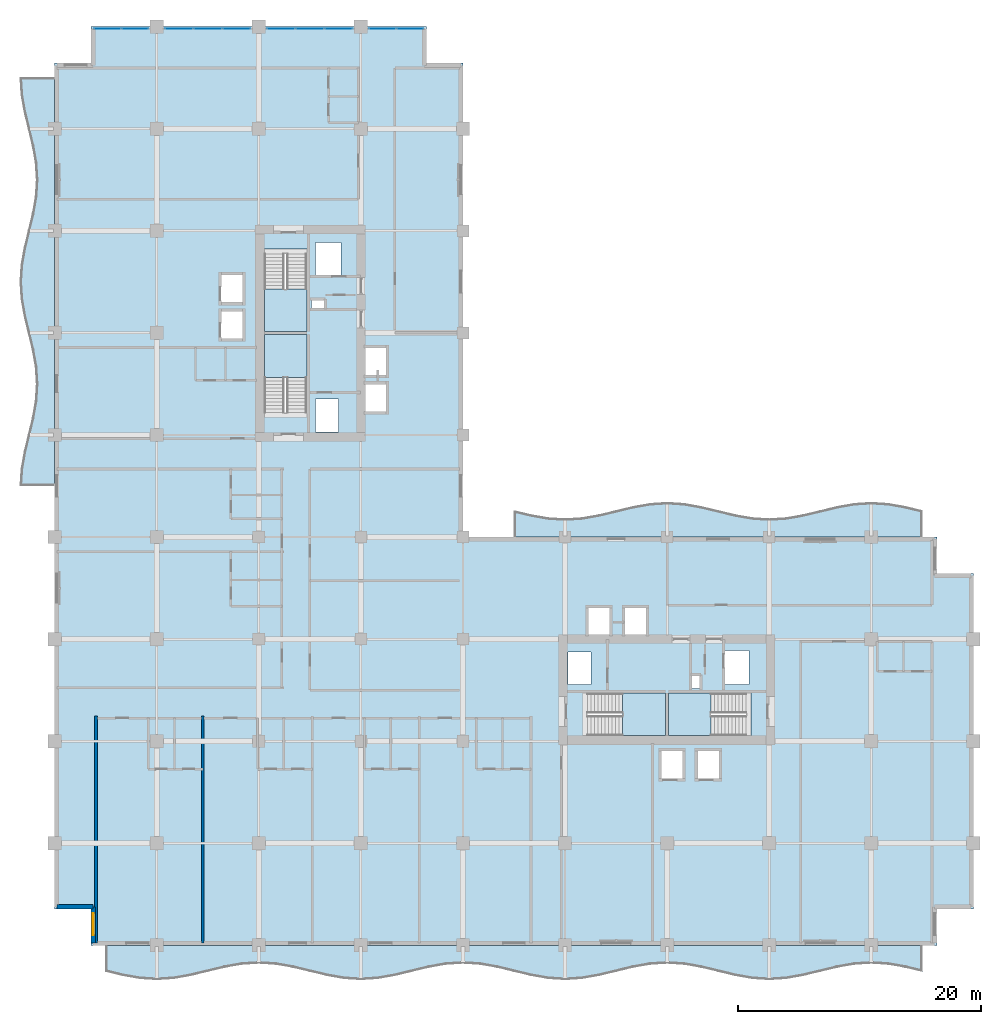
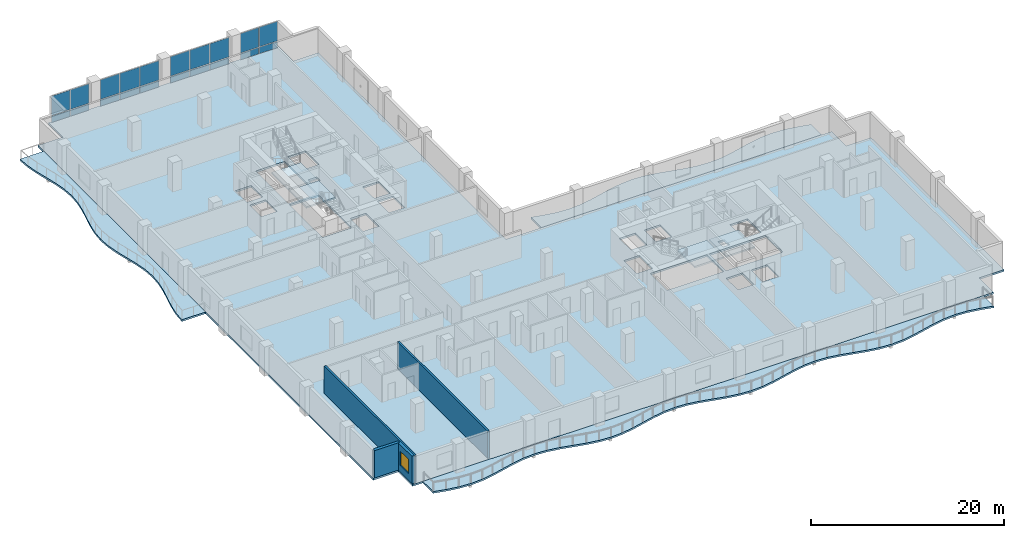
# One storey, part 6 of 20: 20 plates, 8 slabs, 4 walls, 1 window, 1 opening, 8 elements without a shape of their own.
"""IFC4 building model written with IfcOpenShell, lengths in metres."""

from ifc_helpers import new_model, si_unit, direction, frame, frame_2d, origin, origin_2d, place, context, subcontext, project, spatial, polyline, rectangle, outline, extrude, material, layer, layer_set, type_object, element, fill, aggregate, save


model = new_model("IFC4")

# Units and contexts
model_context = context("Model", 3, precision=1e-05, world=origin(), true_north=direction((0.0, 1.0)))
body_context = subcontext(model_context, "Body", "Model", "MODEL_VIEW")
ifc_project = project(units=[si_unit("LENGTHUNIT", "METRE"), si_unit("AREAUNIT", "SQUARE_METRE"), si_unit("VOLUMEUNIT", "CUBIC_METRE"), si_unit("PLANEANGLEUNIT", "RADIAN"), si_unit("MASSUNIT", "GRAM", prefix="KILO")], contexts=[model_context])

# Site, building, storey
site_placement = place(None, origin())
site = spatial("IfcSite", under=ifc_project, at=site_placement, CompositionType="ELEMENT")
building_placement = place(site_placement, origin())
building = spatial("IfcBuilding", under=site, at=building_placement, Name="Koriwani Terraces Tower", CompositionType="ELEMENT")
storey_placement = place(building_placement, frame((0.0, 0.0, 175.39990234375)))
storey = spatial("IfcBuildingStorey", under=building, at=storey_placement, Name="L42", CompositionType="ELEMENT", Elevation=175.39990234375)

# Curtain wall, plates
ifc_material_1 = material(Name="Anodised Bronze Aluminium", Category="aluminium")
ifc_layer_1 = layer(ifc_material_1, 0.169921875, Name="Anodised Bronze Aluminium")
ifc_layer_set_1 = layer_set([ifc_layer_1], Name="Anodised Bronze Aluminium")
curtain_wall_type = type_object("IfcCurtainWallType", Name="CW_RES_ZONE3", PredefinedType="NOTDEFINED", material=ifc_layer_set_1)
curtain_wall_1_placement = place(storey_placement, origin())
curtain_wall_1 = element("IfcCurtainWall", 1, at=curtain_wall_1_placement, inside=storey, type_object=curtain_wall_type, Name="L42 Unitised Curtain Wall (N_TIP) Bay 1", PredefinedType="NOTDEFINED")
ifc_material_2 = material(Name="Tempered Laminated Low-E Glass", Category="glass")
ifc_layer_2 = layer(ifc_material_2, 0.028076171875, Name="Tempered Laminated Low-E Glass")
ifc_layer_set_2 = layer_set([ifc_layer_2], Name="Tempered Laminated Low-E Glass")
plate_type = type_object("IfcPlateType", Name="CW_PANEL_VISION_28", PredefinedType="CURTAIN_PANEL", material=ifc_layer_set_2)
plate_1_placement = place(storey_placement, frame((4.347412109375, 75.425048828125, 0.06494140625), z_axis=(0.0, 0.0, 1.0), x_axis=(1.0, 0.0, 0.0)))
plate_1 = element("IfcPlate", 2, at=plate_1_placement, type_object=plate_type, Name="CW-Z3 panel 1.1", PredefinedType="CURTAIN_PANEL", context=body_context, shape_type="SweptSolid", body=[
    extrude(rectangle(XDim=2.195068359375, YDim=0.028076171875, at=origin_2d()), origin(), (0.0, 0.0, 1.0), 0.802490234375),
])
plate_2_placement = place(storey_placement, frame((4.347412109375, 75.425048828125, 0.9326171875), z_axis=(0.0, 0.0, 1.0), x_axis=(1.0, 0.0, 0.0)))
plate_2 = element("IfcPlate", 3, at=plate_2_placement, type_object=plate_type, Name="CW-Z3 panel 1.2", PredefinedType="CURTAIN_PANEL", context=body_context, shape_type="SweptSolid", body=[
    extrude(rectangle(XDim=2.195068359375, YDim=0.028076171875, at=origin_2d()), origin(), (0.0, 0.0, 1.0), 2.472412109375),
])
plate_3_placement = place(storey_placement, frame((6.617431640625, 75.425048828125, 0.06494140625), z_axis=(0.0, 0.0, 1.0), x_axis=(1.0, 0.0, 0.0)))
plate_3 = element("IfcPlate", 4, at=plate_3_placement, type_object=plate_type, Name="CW-Z3 panel 2.1", PredefinedType="CURTAIN_PANEL", context=body_context, shape_type="SweptSolid", body=[
    extrude(rectangle(XDim=2.195068359375, YDim=0.028076171875, at=origin_2d()), origin(), (0.0, 0.0, 1.0), 0.802490234375),
])
plate_4_placement = place(storey_placement, frame((6.617431640625, 75.425048828125, 0.9326171875), z_axis=(0.0, 0.0, 1.0), x_axis=(1.0, 0.0, 0.0)))
plate_4 = element("IfcPlate", 5, at=plate_4_placement, type_object=plate_type, Name="CW-Z3 panel 2.2", PredefinedType="CURTAIN_PANEL", context=body_context, shape_type="SweptSolid", body=[
    extrude(rectangle(XDim=2.195068359375, YDim=0.028076171875, at=origin_2d()), origin(), (0.0, 0.0, 1.0), 2.472412109375),
])
aggregate(curtain_wall_1, [plate_1, plate_2, plate_3, plate_4])

curtain_wall_2_placement = place(storey_placement, origin())
curtain_wall_2 = element("IfcCurtainWall", 6, at=curtain_wall_2_placement, inside=storey, type_object=curtain_wall_type, Name="L42 Unitised Curtain Wall (N_TIP) Bay 2", PredefinedType="NOTDEFINED")
plate_5_placement = place(storey_placement, frame((10.225341796875, 75.425048828125, 0.06494140625), z_axis=(0.0, 0.0, 1.0), x_axis=(1.0, 0.0, 0.0)))
plate_5 = element("IfcPlate", 7, at=plate_5_placement, type_object=plate_type, Name="CW-Z3 panel 1.1", PredefinedType="CURTAIN_PANEL", context=body_context, shape_type="SweptSolid", body=[
    extrude(rectangle(XDim=2.28076171875, YDim=0.028076171875, at=origin_2d()), origin(), (0.0, 0.0, 1.0), 0.802490234375),
])
plate_6_placement = place(storey_placement, frame((10.225341796875, 75.425048828125, 0.9326171875), z_axis=(0.0, 0.0, 1.0), x_axis=(1.0, 0.0, 0.0)))
plate_6 = element("IfcPlate", 8, at=plate_6_placement, type_object=plate_type, Name="CW-Z3 panel 1.2", PredefinedType="CURTAIN_PANEL", context=body_context, shape_type="SweptSolid", body=[
    extrude(rectangle(XDim=2.28076171875, YDim=0.028076171875, at=origin_2d()), origin(), (0.0, 0.0, 1.0), 2.472412109375),
])
plate_7_placement = place(storey_placement, frame((12.60009765625, 75.425048828125, 0.06494140625), z_axis=(0.0, 0.0, 1.0), x_axis=(1.0, 0.0, 0.0)))
plate_7 = element("IfcPlate", 9, at=plate_7_placement, type_object=plate_type, Name="CW-Z3 panel 2.1", PredefinedType="CURTAIN_PANEL", context=body_context, shape_type="SweptSolid", body=[
    extrude(rectangle(XDim=2.318359375, YDim=0.028076171875, at=origin_2d()), origin(), (0.0, 0.0, 1.0), 0.802490234375),
])
plate_8_placement = place(storey_placement, frame((12.60009765625, 75.425048828125, 0.9326171875), z_axis=(0.0, 0.0, 1.0), x_axis=(1.0, 0.0, 0.0)))
plate_8 = element("IfcPlate", 10, at=plate_8_placement, type_object=plate_type, Name="CW-Z3 panel 2.2", PredefinedType="CURTAIN_PANEL", context=body_context, shape_type="SweptSolid", body=[
    extrude(rectangle(XDim=2.318359375, YDim=0.028076171875, at=origin_2d()), origin(), (0.0, 0.0, 1.0), 2.472412109375),
])
plate_9_placement = place(storey_placement, frame((14.974609375, 75.425048828125, 0.06494140625), z_axis=(0.0, 0.0, 1.0), x_axis=(1.0, 0.0, 0.0)))
plate_9 = element("IfcPlate", 11, at=plate_9_placement, type_object=plate_type, Name="CW-Z3 panel 3.1", PredefinedType="CURTAIN_PANEL", context=body_context, shape_type="SweptSolid", body=[
    extrude(rectangle(XDim=2.28076171875, YDim=0.028076171875, at=origin_2d()), origin(), (0.0, 0.0, 1.0), 0.802490234375),
])
plate_10_placement = place(storey_placement, frame((14.974609375, 75.425048828125, 0.9326171875), z_axis=(0.0, 0.0, 1.0), x_axis=(1.0, 0.0, 0.0)))
plate_10 = element("IfcPlate", 12, at=plate_10_placement, type_object=plate_type, Name="CW-Z3 panel 3.2", PredefinedType="CURTAIN_PANEL", context=body_context, shape_type="SweptSolid", body=[
    extrude(rectangle(XDim=2.28076171875, YDim=0.028076171875, at=origin_2d()), origin(), (0.0, 0.0, 1.0), 2.472412109375),
])
aggregate(curtain_wall_2, [plate_5, plate_6, plate_7, plate_8, plate_9, plate_10])

curtain_wall_3_placement = place(storey_placement, origin())
curtain_wall_3 = element("IfcCurtainWall", 13, at=curtain_wall_3_placement, inside=storey, type_object=curtain_wall_type, Name="L42 Unitised Curtain Wall (N_TIP) Bay 3", PredefinedType="NOTDEFINED")
plate_11_placement = place(storey_placement, frame((18.62548828125, 75.425048828125, 0.06494140625), z_axis=(0.0, 0.0, 1.0), x_axis=(1.0, 0.0, 0.0)))
plate_11 = element("IfcPlate", 14, at=plate_11_placement, type_object=plate_type, Name="CW-Z3 panel 1.1", PredefinedType="CURTAIN_PANEL", context=body_context, shape_type="SweptSolid", body=[
    extrude(rectangle(XDim=2.28076171875, YDim=0.028076171875, at=origin_2d()), origin(), (0.0, 0.0, 1.0), 0.802490234375),
])
plate_12_placement = place(storey_placement, frame((18.62548828125, 75.425048828125, 0.9326171875), z_axis=(0.0, 0.0, 1.0), x_axis=(1.0, 0.0, 0.0)))
plate_12 = element("IfcPlate", 15, at=plate_12_placement, type_object=plate_type, Name="CW-Z3 panel 1.2", PredefinedType="CURTAIN_PANEL", context=body_context, shape_type="SweptSolid", body=[
    extrude(rectangle(XDim=2.28076171875, YDim=0.028076171875, at=origin_2d()), origin(), (0.0, 0.0, 1.0), 2.472412109375),
])
plate_13_placement = place(storey_placement, frame((21.0, 75.425048828125, 0.06494140625), z_axis=(0.0, 0.0, 1.0), x_axis=(1.0, 0.0, 0.0)))
plate_13 = element("IfcPlate", 16, at=plate_13_placement, type_object=plate_type, Name="CW-Z3 panel 2.1", PredefinedType="CURTAIN_PANEL", context=body_context, shape_type="SweptSolid", body=[
    extrude(rectangle(XDim=2.318359375, YDim=0.028076171875, at=origin_2d()), origin(), (0.0, 0.0, 1.0), 0.802490234375),
])
plate_14_placement = place(storey_placement, frame((21.0, 75.425048828125, 0.9326171875), z_axis=(0.0, 0.0, 1.0), x_axis=(1.0, 0.0, 0.0)))
plate_14 = element("IfcPlate", 17, at=plate_14_placement, type_object=plate_type, Name="CW-Z3 panel 2.2", PredefinedType="CURTAIN_PANEL", context=body_context, shape_type="SweptSolid", body=[
    extrude(rectangle(XDim=2.318359375, YDim=0.028076171875, at=origin_2d()), origin(), (0.0, 0.0, 1.0), 2.472412109375),
])
plate_15_placement = place(storey_placement, frame((23.37451171875, 75.425048828125, 0.06494140625), z_axis=(0.0, 0.0, 1.0), x_axis=(1.0, 0.0, 0.0)))
plate_15 = element("IfcPlate", 18, at=plate_15_placement, type_object=plate_type, Name="CW-Z3 panel 3.1", PredefinedType="CURTAIN_PANEL", context=body_context, shape_type="SweptSolid", body=[
    extrude(rectangle(XDim=2.28076171875, YDim=0.028076171875, at=origin_2d()), origin(), (0.0, 0.0, 1.0), 0.802490234375),
])
plate_16_placement = place(storey_placement, frame((23.37451171875, 75.425048828125, 0.9326171875), z_axis=(0.0, 0.0, 1.0), x_axis=(1.0, 0.0, 0.0)))
plate_16 = element("IfcPlate", 19, at=plate_16_placement, type_object=plate_type, Name="CW-Z3 panel 3.2", PredefinedType="CURTAIN_PANEL", context=body_context, shape_type="SweptSolid", body=[
    extrude(rectangle(XDim=2.28076171875, YDim=0.028076171875, at=origin_2d()), origin(), (0.0, 0.0, 1.0), 2.472412109375),
])
aggregate(curtain_wall_3, [plate_11, plate_12, plate_13, plate_14, plate_15, plate_16])

curtain_wall_4_placement = place(storey_placement, origin())
curtain_wall_4 = element("IfcCurtainWall", 20, at=curtain_wall_4_placement, inside=storey, type_object=curtain_wall_type, Name="L42 Unitised Curtain Wall (N_TIP) Bay 4", PredefinedType="NOTDEFINED")
plate_17_placement = place(storey_placement, frame((26.982421875, 75.425048828125, 0.06494140625), z_axis=(0.0, 0.0, 1.0), x_axis=(1.0, 0.0, 0.0)))
plate_17 = element("IfcPlate", 21, at=plate_17_placement, type_object=plate_type, Name="CW-Z3 panel 1.1", PredefinedType="CURTAIN_PANEL", context=body_context, shape_type="SweptSolid", body=[
    extrude(rectangle(XDim=2.195068359375, YDim=0.028076171875, at=origin_2d()), origin(), (0.0, 0.0, 1.0), 0.802490234375),
])
plate_18_placement = place(storey_placement, frame((26.982421875, 75.425048828125, 0.9326171875), z_axis=(0.0, 0.0, 1.0), x_axis=(1.0, 0.0, 0.0)))
plate_18 = element("IfcPlate", 22, at=plate_18_placement, type_object=plate_type, Name="CW-Z3 panel 1.2", PredefinedType="CURTAIN_PANEL", context=body_context, shape_type="SweptSolid", body=[
    extrude(rectangle(XDim=2.195068359375, YDim=0.028076171875, at=origin_2d()), origin(), (0.0, 0.0, 1.0), 2.472412109375),
])
plate_19_placement = place(storey_placement, frame((29.25244140625, 75.425048828125, 0.06494140625), z_axis=(0.0, 0.0, 1.0), x_axis=(1.0, 0.0, 0.0)))
plate_19 = element("IfcPlate", 23, at=plate_19_placement, type_object=plate_type, Name="CW-Z3 panel 2.1", PredefinedType="CURTAIN_PANEL", context=body_context, shape_type="SweptSolid", body=[
    extrude(rectangle(XDim=2.195068359375, YDim=0.028076171875, at=origin_2d()), origin(), (0.0, 0.0, 1.0), 0.802490234375),
])
plate_20_placement = place(storey_placement, frame((29.25244140625, 75.425048828125, 0.9326171875), z_axis=(0.0, 0.0, 1.0), x_axis=(1.0, 0.0, 0.0)))
plate_20 = element("IfcPlate", 24, at=plate_20_placement, type_object=plate_type, Name="CW-Z3 panel 2.2", PredefinedType="CURTAIN_PANEL", context=body_context, shape_type="SweptSolid", body=[
    extrude(rectangle(XDim=2.195068359375, YDim=0.028076171875, at=origin_2d()), origin(), (0.0, 0.0, 1.0), 2.472412109375),
])
aggregate(curtain_wall_4, [plate_17, plate_18, plate_19, plate_20])

# Slabs
ifc_material_3 = material(Name="Concrete C40/50", Category="concrete")
ifc_layer_3 = layer(ifc_material_3, 0.219970703125, Name="Concrete C40/50")
ifc_layer_set_3 = layer_set([ifc_layer_3], Name="Concrete C40/50")
slab_type_1 = type_object("IfcSlabType", Name="SLAB_BALCONY_220", PredefinedType="FLOOR", material=ifc_layer_set_3)
slab_1_placement = place(storey_placement, frame((0.0, 0.0, -0.219970703125)))
element("IfcSlab", 25, at=slab_1_placement, inside=storey, type_object=slab_type_1, Name="L42 Quilted Circular-Arc Balcony (S)", PredefinedType="FLOOR", context=body_context, shape_type="SweptSolid", body=[
    extrude(outline(polyline([(4.199951171875, 0.0), (5.60009765625, 0.0), (7.0, 0.0), (8.39990234375, 0.0), (9.800048828125, 0.0), (11.199951171875, 0.0), (12.60009765625, 0.0), (14.0, 0.0), (15.39990234375, 0.0), (16.800048828125, 0.0), (18.199951171875, 0.0), (19.60009765625, 0.0), (21.0, 0.0), (22.39990234375, 0.0), (23.800048828125, 0.0), (25.199951171875, 0.0), (26.60009765625, 0.0), (28.0, 0.0), (29.39990234375, 0.0), (30.800048828125, 0.0), (32.199951171875, 0.0), (33.60009765625, 0.0), (35.0, 0.0), (36.39990234375, 0.0), (37.800048828125, 0.0), (39.199951171875, 0.0), (40.60009765625, 0.0), (42.0, 0.0), (43.39990234375, 0.0), (44.800048828125, 0.0), (46.199951171875, 0.0), (47.60009765625, 0.0), (49.0, 0.0), (50.39990234375, 0.0), (51.800048828125, 0.0), (53.199951171875, 0.0), (54.60009765625, 0.0), (56.0, 0.0), (57.39990234375, 0.0), (58.800048828125, 0.0), (60.199951171875, 0.0), (61.60009765625, 0.0), (63.0, 0.0), (64.39990234375, 0.0), (65.800048828125, 0.0), (67.199951171875, 0.0), (68.60009765625, 0.0), (70.0, 0.0), (71.39990234375, 0.0), (71.39990234375, -2.175048828125), (70.0, -1.83740234375), (68.60009765625, -1.59033203125), (67.199951171875, -1.5), (65.800048828125, -1.59033203125), (64.39990234375, -1.83740234375), (63.0, -2.175048828125), (61.60009765625, -2.512451171875), (60.199951171875, -2.759521484375), (58.800048828125, -2.85009765625), (57.39990234375, -2.759521484375), (56.0, -2.512451171875), (54.60009765625, -2.175048828125), (53.199951171875, -1.83740234375), (51.800048828125, -1.59033203125), (50.39990234375, -1.5), (49.0, -1.59033203125), (47.60009765625, -1.83740234375), (46.199951171875, -2.175048828125), (44.800048828125, -2.512451171875), (43.39990234375, -2.759521484375), (42.0, -2.85009765625), (40.60009765625, -2.759521484375), (39.199951171875, -2.512451171875), (37.800048828125, -2.175048828125), (36.39990234375, -1.83740234375), (35.0, -1.59033203125), (33.60009765625, -1.5), (32.199951171875, -1.59033203125), (30.800048828125, -1.83740234375), (29.39990234375, -2.175048828125), (28.0, -2.512451171875), (26.60009765625, -2.759521484375), (25.199951171875, -2.85009765625), (23.800048828125, -2.759521484375), (22.39990234375, -2.512451171875), (21.0, -2.175048828125), (19.60009765625, -1.83740234375), (18.199951171875, -1.59033203125), (16.800048828125, -1.5), (15.39990234375, -1.59033203125), (14.0, -1.83740234375), (12.60009765625, -2.175048828125), (11.199951171875, -2.512451171875), (9.800048828125, -2.759521484375), (8.39990234375, -2.85009765625), (7.0, -2.759521484375), (5.60009765625, -2.512451171875), (4.199951171875, -2.175048828125), (4.199951171875, 0.0)])), origin(), (0.0, 0.0, 1.0), 0.219970703125),
])
slab_2_placement = place(storey_placement, frame((0.0, 0.0, -0.219970703125)))
element("IfcSlab", 26, at=slab_2_placement, inside=storey, type_object=slab_type_1, Name="L42 Quilted Circular-Arc Balcony (W)", PredefinedType="FLOOR", context=body_context, shape_type="SweptSolid", body=[
    extrude(outline(polyline([(0.0, 37.800048828125), (0.0, 39.199951171875), (0.0, 40.60009765625), (0.0, 42.0), (0.0, 43.39990234375), (0.0, 44.800048828125), (0.0, 46.199951171875), (0.0, 47.60009765625), (0.0, 49.0), (0.0, 50.39990234375), (0.0, 51.800048828125), (0.0, 53.199951171875), (0.0, 54.60009765625), (0.0, 56.0), (0.0, 57.39990234375), (0.0, 58.800048828125), (0.0, 60.199951171875), (0.0, 61.60009765625), (0.0, 63.0), (0.0, 64.39990234375), (0.0, 65.800048828125), (0.0, 67.199951171875), (0.0, 68.60009765625), (0.0, 70.0), (0.0, 71.39990234375), (-2.85009765625, 71.39990234375), (-2.759521484375, 70.0), (-2.512451171875, 68.60009765625), (-2.175048828125, 67.199951171875), (-1.83740234375, 65.800048828125), (-1.59033203125, 64.39990234375), (-1.5, 63.0), (-1.59033203125, 61.60009765625), (-1.83740234375, 60.199951171875), (-2.175048828125, 58.800048828125), (-2.512451171875, 57.39990234375), (-2.759521484375, 56.0), (-2.85009765625, 54.60009765625), (-2.759521484375, 53.199951171875), (-2.512451171875, 51.800048828125), (-2.175048828125, 50.39990234375), (-1.83740234375, 49.0), (-1.59033203125, 47.60009765625), (-1.5, 46.199951171875), (-1.59033203125, 44.800048828125), (-1.83740234375, 43.39990234375), (-2.175048828125, 42.0), (-2.512451171875, 40.60009765625), (-2.759521484375, 39.199951171875), (-2.85009765625, 37.800048828125), (0.0, 37.800048828125)])), origin(), (0.0, 0.0, 1.0), 0.219970703125),
])
slab_3_placement = place(storey_placement, frame((0.0, 0.0, -0.219970703125)))
element("IfcSlab", 27, at=slab_3_placement, inside=storey, type_object=slab_type_1, Name="L42 Quilted Circular-Arc Balcony (NE)", PredefinedType="FLOOR", context=body_context, shape_type="SweptSolid", body=[
    extrude(outline(polyline([(71.39990234375, 33.60009765625), (70.0, 33.60009765625), (68.60009765625, 33.60009765625), (67.199951171875, 33.60009765625), (65.800048828125, 33.60009765625), (64.39990234375, 33.60009765625), (63.0, 33.60009765625), (61.60009765625, 33.60009765625), (60.199951171875, 33.60009765625), (58.800048828125, 33.60009765625), (57.39990234375, 33.60009765625), (56.0, 33.60009765625), (54.60009765625, 33.60009765625), (53.199951171875, 33.60009765625), (51.800048828125, 33.60009765625), (50.39990234375, 33.60009765625), (49.0, 33.60009765625), (47.60009765625, 33.60009765625), (46.199951171875, 33.60009765625), (44.800048828125, 33.60009765625), (43.39990234375, 33.60009765625), (42.0, 33.60009765625), (40.60009765625, 33.60009765625), (39.199951171875, 33.60009765625), (37.800048828125, 33.60009765625), (37.800048828125, 35.77490234375), (39.199951171875, 35.4375), (40.60009765625, 35.1904296875), (42.0, 35.10009765625), (43.39990234375, 35.1904296875), (44.800048828125, 35.4375), (46.199951171875, 35.77490234375), (47.60009765625, 36.112548828125), (49.0, 36.359619140625), (50.39990234375, 36.449951171875), (51.800048828125, 36.359619140625), (53.199951171875, 36.112548828125), (54.60009765625, 35.77490234375), (56.0, 35.4375), (57.39990234375, 35.1904296875), (58.800048828125, 35.10009765625), (60.199951171875, 35.1904296875), (61.60009765625, 35.4375), (63.0, 35.77490234375), (64.39990234375, 36.112548828125), (65.800048828125, 36.359619140625), (67.199951171875, 36.449951171875), (68.60009765625, 36.359619140625), (70.0, 36.112548828125), (71.39990234375, 35.77490234375), (71.39990234375, 33.60009765625)])), origin(), (0.0, 0.0, 1.0), 0.219970703125),
])
ifc_layer_4 = layer(ifc_material_3, 0.22998046875, Name="Concrete C40/50")
ifc_layer_set_4 = layer_set([ifc_layer_4], Name="Concrete C40/50")
slab_type_2 = type_object("IfcSlabType", Name="SLAB_RES_TYP_230", PredefinedType="FLOOR", material=ifc_layer_set_4)
slab_4_placement = place(storey_placement, frame((0.0, 0.0, -0.22998046875)))
element("IfcSlab", 28, at=slab_4_placement, inside=storey, type_object=slab_type_2, Name="L42 Structural Floor Slab", PredefinedType="FLOOR", context=body_context, shape_type="SweptSolid", body=[
    extrude(outline(polyline([(3.0, 0.0), (72.60009765625, 0.0), (72.60009765625, 3.0), (75.60009765625, 3.0), (75.60009765625, 30.60009765625), (72.60009765625, 30.60009765625), (72.60009765625, 33.60009765625), (33.60009765625, 33.60009765625), (33.60009765625, 72.60009765625), (30.60009765625, 72.60009765625), (30.60009765625, 75.60009765625), (3.0, 75.60009765625), (3.0, 72.60009765625), (0.0, 72.60009765625), (0.0, 3.0), (3.0, 3.0), (3.0, 0.0)]), holes=[polyline([(17.25, 43.4599609375), (20.75, 43.4599609375), (20.75, 50.25), (17.25, 50.25), (17.25, 43.4599609375)]), polyline([(17.25, 50.5), (20.75, 50.5), (20.75, 57.2900390625), (17.25, 57.2900390625), (17.25, 50.5)]), polyline([(43.4599609375, 17.25), (50.25, 17.25), (50.25, 20.75), (43.4599609375, 20.75), (43.4599609375, 17.25)]), polyline([(50.5, 17.25), (57.2900390625, 17.25), (57.2900390625, 20.75), (50.5, 20.75), (50.5, 17.25)]), polyline([(13.64990234375, 49.85009765625), (15.550048828125, 49.85009765625), (15.550048828125, 52.25), (13.64990234375, 52.25), (13.64990234375, 49.85009765625)]), polyline([(13.64990234375, 52.85009765625), (15.550048828125, 52.85009765625), (15.550048828125, 55.25), (13.64990234375, 55.25), (13.64990234375, 52.85009765625)]), polyline([(49.85009765625, 13.64990234375), (51.75, 13.64990234375), (51.75, 16.050048828125), (49.85009765625, 16.050048828125), (49.85009765625, 13.64990234375)]), polyline([(52.85009765625, 13.64990234375), (54.75, 13.64990234375), (54.75, 16.050048828125), (52.85009765625, 16.050048828125), (52.85009765625, 13.64990234375)]), polyline([(25.449951171875, 43.85009765625), (27.35009765625, 43.85009765625), (27.35009765625, 46.25), (25.449951171875, 46.25), (25.449951171875, 43.85009765625)]), polyline([(25.449951171875, 46.85009765625), (27.35009765625, 46.85009765625), (27.35009765625, 49.25), (25.449951171875, 49.25), (25.449951171875, 46.85009765625)]), polyline([(43.85009765625, 25.449951171875), (45.75, 25.449951171875), (45.75, 27.85009765625), (43.85009765625, 27.85009765625), (43.85009765625, 25.449951171875)]), polyline([(46.85009765625, 25.449951171875), (48.75, 25.449951171875), (48.75, 27.85009765625), (46.85009765625, 27.85009765625), (46.85009765625, 25.449951171875)]), polyline([(21.449951171875, 55.050048828125), (23.550048828125, 55.050048828125), (23.550048828125, 57.85009765625), (21.449951171875, 57.85009765625), (21.449951171875, 55.050048828125)]), polyline([(55.050048828125, 21.449951171875), (57.14990234375, 21.449951171875), (57.14990234375, 24.25), (55.050048828125, 24.25), (55.050048828125, 21.449951171875)]), polyline([(21.449951171875, 42.25), (23.35009765625, 42.25), (23.35009765625, 44.949951171875), (21.449951171875, 44.949951171875), (21.449951171875, 42.25)]), polyline([(42.25, 21.449951171875), (44.14990234375, 21.449951171875), (44.14990234375, 24.14990234375), (42.25, 24.14990234375), (42.25, 21.449951171875)]), polyline([(21.14990234375, 52.419921875), (22.219970703125, 52.419921875), (22.219970703125, 53.179931640625), (21.14990234375, 53.179931640625), (21.14990234375, 52.419921875)]), polyline([(52.419921875, 21.14990234375), (53.179931640625, 21.14990234375), (53.179931640625, 22.219970703125), (52.419921875, 22.219970703125), (52.419921875, 21.14990234375)])]), origin(), (0.0, 0.0, 1.0), 0.22998046875),
])

# Stair, slab
stair_type = type_object("IfcStairType", Name="STAIR_CORE_DOGLEG_1650", PredefinedType="TWO_STRAIGHT_RUN_STAIR", material=ifc_material_3)
stair_1_placement = place(storey_placement, origin())
stair_1 = element("IfcStair", 29, at=stair_1_placement, inside=storey, type_object=stair_type, Name="L42 West Core Exit Stair 1", PredefinedType="HALF_TURN_STAIR")
ifc_layer_5 = layer(ifc_material_3, 0.199951171875, Name="Concrete C40/50")
ifc_layer_set_5 = layer_set([ifc_layer_5], Name="Concrete C40/50")
slab_type_3 = type_object("IfcSlabType", Name="SLAB_STAIR_LANDING_200", PredefinedType="LANDING", material=ifc_layer_set_5)
slab_5_placement = place(storey_placement, frame((0.0, 0.0, 1.650146484375)))
slab_5 = element("IfcSlab", 30, at=slab_5_placement, type_object=slab_type_3, Name="ST-W1 landing 1", PredefinedType="LANDING", context=body_context, shape_type="SweptSolid", body=[
    extrude(outline(polyline([(20.75, 46.75), (20.75, 50.25), (17.25, 50.25), (17.25, 46.75), (20.75, 46.75)])), origin(), (0.0, 0.0, 1.0), 0.199951171875),
])
aggregate(stair_1, [slab_5])

stair_2_placement = place(storey_placement, origin())
stair_2 = element("IfcStair", 31, at=stair_2_placement, inside=storey, type_object=stair_type, Name="L42 West Core Exit Stair 2", PredefinedType="HALF_TURN_STAIR")
slab_6_placement = place(storey_placement, frame((0.0, 0.0, 1.650146484375)))
slab_6 = element("IfcSlab", 32, at=slab_6_placement, type_object=slab_type_3, Name="ST-W2 landing 1", PredefinedType="LANDING", context=body_context, shape_type="SweptSolid", body=[
    extrude(outline(polyline([(17.25, 54.0), (17.25, 50.5), (20.75, 50.5), (20.75, 54.0), (17.25, 54.0)])), origin(), (0.0, 0.0, 1.0), 0.199951171875),
])
aggregate(stair_2, [slab_6])

stair_3_placement = place(storey_placement, origin())
stair_3 = element("IfcStair", 33, at=stair_3_placement, inside=storey, type_object=stair_type, Name="L42 East Core Exit Stair 1", PredefinedType="HALF_TURN_STAIR")
slab_7_placement = place(storey_placement, frame((0.0, 0.0, 1.650146484375)))
slab_7 = element("IfcSlab", 34, at=slab_7_placement, type_object=slab_type_3, Name="ST-E1 landing 1", PredefinedType="LANDING", context=body_context, shape_type="SweptSolid", body=[
    extrude(outline(polyline([(46.75, 17.25), (50.25, 17.25), (50.25, 20.75), (46.75, 20.75), (46.75, 17.25)])), origin(), (0.0, 0.0, 1.0), 0.199951171875),
])
aggregate(stair_3, [slab_7])

stair_4_placement = place(storey_placement, origin())
stair_4 = element("IfcStair", 35, at=stair_4_placement, inside=storey, type_object=stair_type, Name="L42 East Core Exit Stair 2", PredefinedType="HALF_TURN_STAIR")
slab_8_placement = place(storey_placement, frame((0.0, 0.0, 1.650146484375)))
slab_8 = element("IfcSlab", 36, at=slab_8_placement, type_object=slab_type_3, Name="ST-E2 landing 1", PredefinedType="LANDING", context=body_context, shape_type="SweptSolid", body=[
    extrude(outline(polyline([(54.0, 20.75), (50.5, 20.75), (50.5, 17.25), (54.0, 17.25), (54.0, 20.75)])), origin(), (0.0, 0.0, 1.0), 0.199951171875),
])
aggregate(stair_4, [slab_8])

# Walls
ifc_material_4 = material(Name="Autoclaved Cellular Concrete Blockwork", Category="masonry")
ifc_layer_6 = layer(ifc_material_4, 0.219970703125, Name="Autoclaved Cellular Concrete Blockwork")
ifc_layer_set_6 = layer_set([ifc_layer_6], Name="Autoclaved Cellular Concrete Blockwork")
wall_type_1 = type_object("IfcWallType", Name="WALL_DEMISING_220", PredefinedType="PARTITIONING", material=ifc_layer_set_6)
for number, where, z_axis, x_axis, name in (
    (37, (3.39990234375, 0.199951171875, 0.0), (0.0, 0.0, 1.0), (0.0, 1.0, 0.0), "L42 Interior Wall WRDEM-L42-SW-0"),
    (38, (12.199951171875, 0.199951171875, 0.0), (0.0, 0.0, 1.0), (0.0, 1.0, 0.0), "L42 Interior Wall WRDEM-L42-SW-1"),
):
    element("IfcWall", number, at=place(storey_placement, frame(where, z_axis=z_axis, x_axis=x_axis)), inside=storey, type_object=wall_type_1, Name=name, PredefinedType="PARTITIONING", context=body_context, shape_type="SweptSolid", body=[
        extrude(rectangle(XDim=18.679931640625, YDim=0.219970703125, at=frame_2d((9.33984375, 0.0))), origin(), (0.0, 0.0, 1.0), 3.47021484375),
    ])

# Wall, opening, window
ifc_material_5 = material(Name="Concrete C50/60", Category="concrete")
ifc_layer_7 = layer(ifc_material_5, 0.35009765625, Name="Concrete C50/60")
ifc_layer_set_7 = layer_set([ifc_layer_7], Name="Concrete C50/60")
wall_type_2 = type_object("IfcWallType", Name="WALL_EXT_BRUTALIST_350", PredefinedType="STANDARD", material=ifc_layer_set_7)
wall_1_placement = place(storey_placement, frame((3.175048828125, 0.175048828125, 0.0), z_axis=(0.0, 0.0, 1.0), x_axis=(0.0, 1.0, 0.0)))
wall_1 = element("IfcWall", 39, at=wall_1_placement, inside=storey, type_object=wall_type_2, Name="L42 Fair-Faced Brutalist Exterior Wall (N0)", PredefinedType="STANDARD", context=body_context, shape_type="SweptSolid", body=[
    extrude(rectangle(XDim=3.0, YDim=0.35009765625, at=frame_2d((1.5, 0.0))), origin(), (0.0, 0.0, 1.0), 3.47021484375),
])
opening_placement = place(wall_1_placement, frame((0.677490234375, 0.0, 0.85009765625)))
opening = element("IfcOpeningElement", 40, at=opening_placement, cuts=wall_1, Name="Opening W-04", PredefinedType="OPENING", context=body_context, shape_type="SweptSolid", body=[
    extrude(rectangle(XDim=1.800048828125, YDim=1.800048828125, at=frame_2d((0.89990234375, 0.89990234375))), frame((0.0, 0.18505859375, 0.0), z_axis=(0.0, -1.0, 0.0), x_axis=(1.0, 0.0, 0.0)), (0.0, 0.0, 1.0), 0.3701171875),
])
window_type = type_object("IfcWindowType", Name="WIN_RES_BED_1800X1800", PartitioningType="DOUBLE_PANEL_VERTICAL", PredefinedType="WINDOW", material=ifc_material_2)
window_placement = place(opening_placement, origin())
window = element("IfcWindow", 41, at=window_placement, inside=storey, type_object=window_type, Name="L42 Exterior Window (N0-R33)", OverallHeight=1.800048828125, OverallWidth=1.800048828125, PartitioningType="SINGLE_PANEL", PredefinedType="WINDOW", context=body_context, shape_type="SweptSolid", body=[
    extrude(rectangle(XDim=1.800048828125, YDim=1.800048828125, at=frame_2d((0.89990234375, 0.89990234375))), frame((0.0, 0.030029296875, 0.0), z_axis=(0.0, -1.0, 0.0), x_axis=(1.0, 0.0, 0.0)), (0.0, 0.0, 1.0), 0.06005859375),
])
fill(opening, window)

# Wall
wall_2_placement = place(storey_placement, frame((3.175048828125, 3.175048828125, 0.0), z_axis=(0.0, 0.0, 1.0), x_axis=(-1.0, 0.0, 0.0)))
element("IfcWall", 42, at=wall_2_placement, inside=storey, type_object=wall_type_2, Name="L42 Fair-Faced Brutalist Exterior Wall (N1)", PredefinedType="STANDARD", context=body_context, shape_type="SweptSolid", body=[
    extrude(rectangle(XDim=3.0, YDim=0.35009765625, at=frame_2d((1.5, 0.0))), origin(), (0.0, 0.0, 1.0), 3.47021484375),
])

save(model, "model.ifc")
